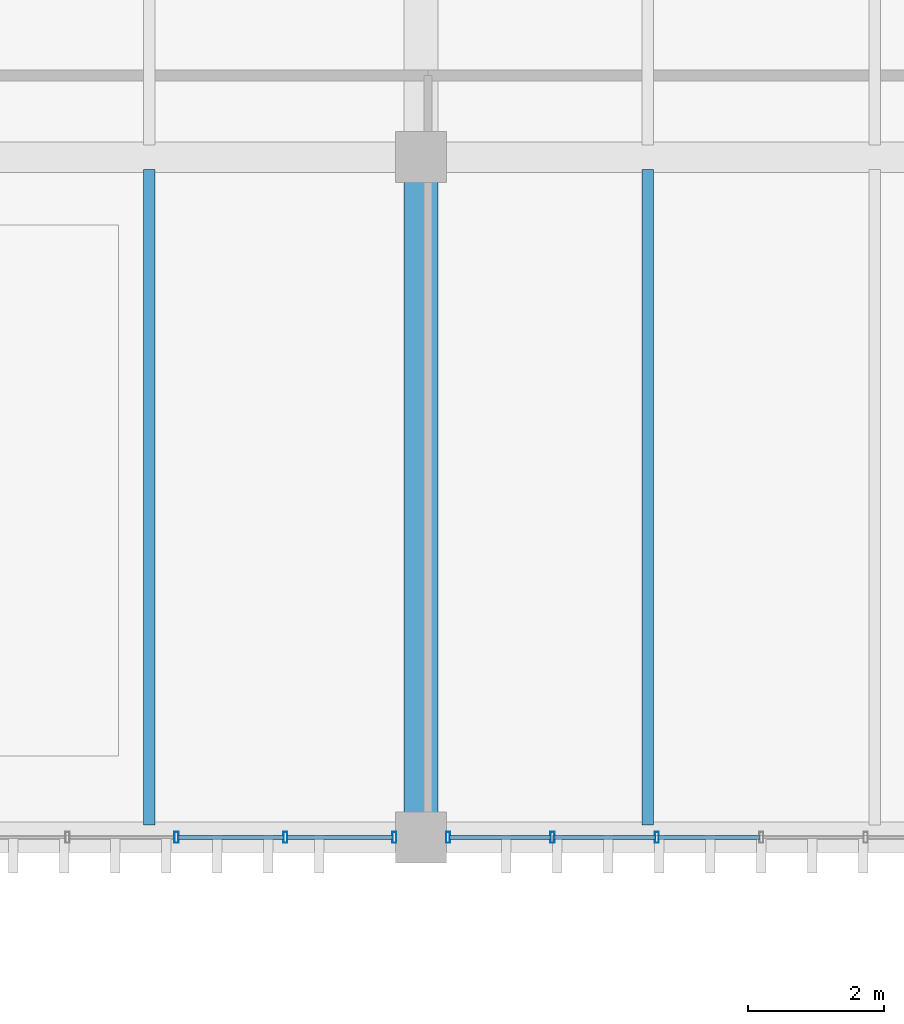
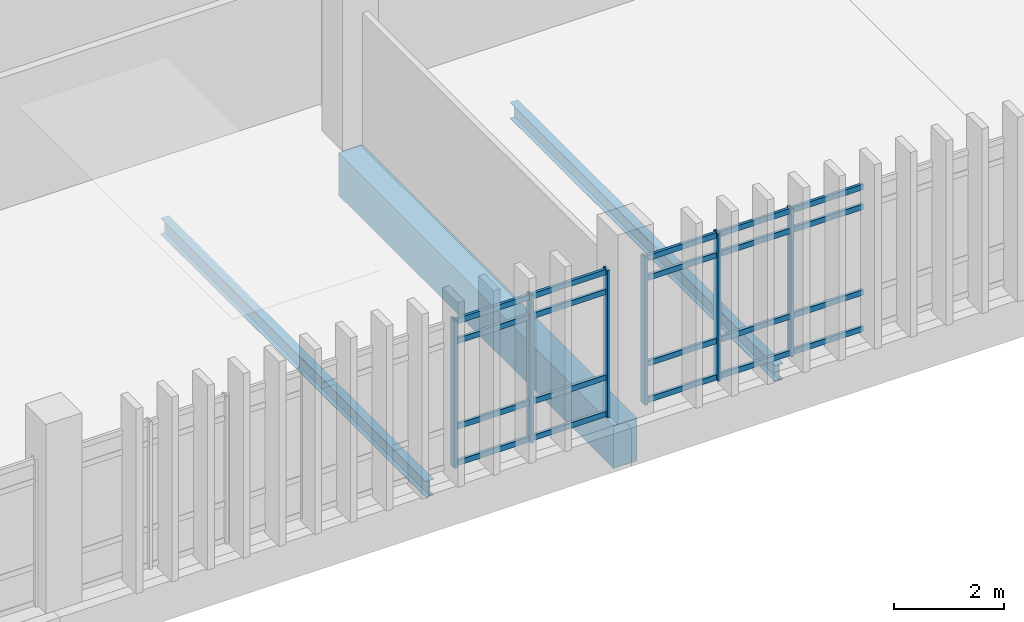
# One storey, part 79 of 161: 26 members, 3 beams, 2 elements without a shape of their own.
"""IFC4 building model written with IfcOpenShell, lengths in metres."""

from ifc_helpers import new_model, si_unit, direction, frame, origin, origin_2d, place, context, subcontext, project, spatial, rectangle, hollow_rectangle, i_section, extrude, material, layer, layer_set, material_profile, profile_set, type_object, element, aggregate, save


model = new_model("IFC4")

# Units and contexts
model_context = context("Model", 3, precision=1e-05, world=origin(), true_north=direction((0.0, 1.0)))
body_context = subcontext(model_context, "Body", "Model", "MODEL_VIEW")
ifc_project = project(units=[si_unit("LENGTHUNIT", "METRE"), si_unit("AREAUNIT", "SQUARE_METRE"), si_unit("VOLUMEUNIT", "CUBIC_METRE"), si_unit("PLANEANGLEUNIT", "RADIAN"), si_unit("MASSUNIT", "GRAM", prefix="KILO")], contexts=[model_context])

# Site, building, storey
site_placement = place(None, origin())
site = spatial("IfcSite", under=ifc_project, at=site_placement, CompositionType="ELEMENT")
building_placement = place(site_placement, origin())
building = spatial("IfcBuilding", under=site, at=building_placement, Name="Mersad Railyard Sports Hall", CompositionType="ELEMENT")
storey_placement = place(building_placement, frame((0.0, 0.0, 4.800048828125)))
storey = spatial("IfcBuildingStorey", under=building, at=storey_placement, Name="L01", CompositionType="ELEMENT", Elevation=4.800048828125)

# Curtain wall, members
ifc_material_1 = material(Name="Aluminium 6063-T6", Category="aluminium")
ifc_layer_1 = layer(ifc_material_1, 0.159912109375)
ifc_layer_set_1 = layer_set([ifc_layer_1], Name="Aluminium 6063-T6")
curtain_wall_type_1 = type_object("IfcCurtainWallType", Name="ARC-CW-CW37", PredefinedType="USERDEFINED", material=ifc_layer_set_1)
curtain_wall_1_placement = place(storey_placement, origin())
curtain_wall_1 = element("IfcCurtainWall", 1, at=curtain_wall_1_placement, inside=storey, type_object=curtain_wall_type_1, Name="Curtain wall CW37-0107", ObjectType="CURTAIN WALL", PredefinedType="USERDEFINED")
ifc_material_profile_1 = material_profile(ifc_material_1, hollow_rectangle(XDim=0.06005859375, YDim=0.159912109375, WallThickness=0.00390625, at=origin_2d()), Name="AL MULLION 60x160x4")
ifc_profile_set_1 = profile_set([ifc_material_profile_1], Name="Aluminium 6063-T6")
member_type_1 = type_object("IfcMemberType", Name="ARC-CW-MUL01", PredefinedType="MULLION", material=ifc_profile_set_1)
member_1_placement = place(storey_placement, frame((90.60498046875, 85.0, -0.02001953125), z_axis=(0.0, 0.0, 1.0), x_axis=(1.0, 0.0, 0.0)))
member_1 = element("IfcMember", 2, at=member_1_placement, type_object=member_type_1, Name="CW37 Mullion 1", PredefinedType="MULLION", context=body_context, shape_type="SweptSolid", body=[
    extrude(hollow_rectangle(XDim=0.06005859375, YDim=0.159912109375, WallThickness=0.00390625, at=origin_2d()), origin(), (0.0, 0.0, 1.0), 3.27001953125),
])
member_2_placement = place(storey_placement, frame((89.003662109375, 85.0, -0.02001953125), z_axis=(0.0, 0.0, 1.0), x_axis=(1.0, 0.0, 0.0)))
member_2 = element("IfcMember", 3, at=member_2_placement, type_object=member_type_1, Name="CW37 Mullion 2", PredefinedType="MULLION", context=body_context, shape_type="SweptSolid", body=[
    extrude(hollow_rectangle(XDim=0.06005859375, YDim=0.159912109375, WallThickness=0.00390625, at=origin_2d()), origin(), (0.0, 0.0, 1.0), 3.27001953125),
])
member_3_placement = place(storey_placement, frame((87.402099609375, 85.0, -0.02001953125), z_axis=(0.0, 0.0, 1.0), x_axis=(1.0, 0.0, 0.0)))
member_3 = element("IfcMember", 4, at=member_3_placement, type_object=member_type_1, Name="CW37 Mullion 3", PredefinedType="MULLION", context=body_context, shape_type="SweptSolid", body=[
    extrude(hollow_rectangle(XDim=0.06005859375, YDim=0.159912109375, WallThickness=0.00390625, at=origin_2d()), origin(), (0.0, 0.0, 1.0), 3.27001953125),
])

ifc_layer_2 = layer(ifc_material_1, 0.159912109375)
ifc_layer_set_2 = layer_set([ifc_layer_2], Name="Aluminium 6063-T6")
curtain_wall_type_2 = type_object("IfcCurtainWallType", Name="ARC-CW-CW38", PredefinedType="USERDEFINED", material=ifc_layer_set_2)
curtain_wall_2_placement = place(storey_placement, origin())
curtain_wall_2 = element("IfcCurtainWall", 5, at=curtain_wall_2_placement, inside=storey, type_object=curtain_wall_type_2, Name="Curtain wall CW38-0108", ObjectType="CURTAIN WALL", PredefinedType="USERDEFINED")
member_4_placement = place(storey_placement, frame((94.465087890625, 85.0, -0.02001953125), z_axis=(0.0, 0.0, 1.0), x_axis=(1.0, 0.0, 0.0)))
member_4 = element("IfcMember", 6, at=member_4_placement, type_object=member_type_1, Name="CW38 Mullion 5", PredefinedType="MULLION", context=body_context, shape_type="SweptSolid", body=[
    extrude(hollow_rectangle(XDim=0.06005859375, YDim=0.159912109375, WallThickness=0.00390625, at=origin_2d()), origin(), (0.0, 0.0, 1.0), 3.27001953125),
])
member_5_placement = place(storey_placement, frame((92.929931640625, 85.0, -0.02001953125), z_axis=(0.0, 0.0, 1.0), x_axis=(1.0, 0.0, 0.0)))
member_5 = element("IfcMember", 7, at=member_5_placement, type_object=member_type_1, Name="CW38 Mullion 6", PredefinedType="MULLION", context=body_context, shape_type="SweptSolid", body=[
    extrude(hollow_rectangle(XDim=0.06005859375, YDim=0.159912109375, WallThickness=0.00390625, at=origin_2d()), origin(), (0.0, 0.0, 1.0), 3.27001953125),
])
member_6_placement = place(storey_placement, frame((91.39501953125, 85.0, -0.02001953125), z_axis=(0.0, 0.0, 1.0), x_axis=(1.0, 0.0, 0.0)))
member_6 = element("IfcMember", 8, at=member_6_placement, type_object=member_type_1, Name="CW38 Mullion 7", PredefinedType="MULLION", context=body_context, shape_type="SweptSolid", body=[
    extrude(hollow_rectangle(XDim=0.06005859375, YDim=0.159912109375, WallThickness=0.00390625, at=origin_2d()), origin(), (0.0, 0.0, 1.0), 3.27001953125),
])

# Member
ifc_material_profile_2 = material_profile(ifc_material_1, hollow_rectangle(XDim=0.06005859375, YDim=0.1201171875, WallThickness=0.00390625, at=origin_2d()), Name="AL TRANSOM 60x120x4")
ifc_profile_set_2 = profile_set([ifc_material_profile_2], Name="Aluminium 6063-T6")
member_type_2 = type_object("IfcMemberType", Name="ARC-CW-TRN01", PredefinedType="USERDEFINED", material=ifc_profile_set_2)
member_7_placement = place(storey_placement, frame((90.5849609375, 85.0, 0.0400390625), z_axis=(-1.0, 0.0, 0.0), x_axis=(0.0, -1.0, 0.0)))
member_7 = element("IfcMember", 9, at=member_7_placement, type_object=member_type_2, Name="CW37 Transom 1-1", ObjectType="TRANSOM", PredefinedType="USERDEFINED", context=body_context, shape_type="SweptSolid", body=[
    extrude(hollow_rectangle(XDim=0.06005859375, YDim=0.1201171875, WallThickness=0.00390625, at=origin_2d()), origin(), (0.0, 0.0, 1.0), 1.561279296875),
])

member_8_placement = place(storey_placement, frame((88.983642578125, 85.0, 0.0400390625), z_axis=(-1.0, 0.0, 0.0), x_axis=(0.0, -1.0, 0.0)))
member_8 = element("IfcMember", 10, at=member_8_placement, type_object=member_type_2, Name="CW37 Transom 1-2", ObjectType="TRANSOM", PredefinedType="USERDEFINED", context=body_context, shape_type="SweptSolid", body=[
    extrude(hollow_rectangle(XDim=0.06005859375, YDim=0.1201171875, WallThickness=0.00390625, at=origin_2d()), origin(), (0.0, 0.0, 1.0), 1.5615234375),
])

member_9_placement = place(storey_placement, frame((90.5849609375, 85.0, 0.849853515625), z_axis=(-1.0, 0.0, 0.0), x_axis=(0.0, -1.0, 0.0)))
member_9 = element("IfcMember", 11, at=member_9_placement, type_object=member_type_2, Name="CW37 Transom 2-1", ObjectType="TRANSOM", PredefinedType="USERDEFINED", context=body_context, shape_type="SweptSolid", body=[
    extrude(hollow_rectangle(XDim=0.06005859375, YDim=0.1201171875, WallThickness=0.00390625, at=origin_2d()), origin(), (0.0, 0.0, 1.0), 1.561279296875),
])

member_10_placement = place(storey_placement, frame((88.983642578125, 85.0, 0.849853515625), z_axis=(-1.0, 0.0, 0.0), x_axis=(0.0, -1.0, 0.0)))
member_10 = element("IfcMember", 12, at=member_10_placement, type_object=member_type_2, Name="CW37 Transom 2-2", ObjectType="TRANSOM", PredefinedType="USERDEFINED", context=body_context, shape_type="SweptSolid", body=[
    extrude(hollow_rectangle(XDim=0.06005859375, YDim=0.1201171875, WallThickness=0.00390625, at=origin_2d()), origin(), (0.0, 0.0, 1.0), 1.5615234375),
])

member_11_placement = place(storey_placement, frame((90.5849609375, 85.0, 2.75), z_axis=(-1.0, 0.0, 0.0), x_axis=(0.0, -1.0, 0.0)))
member_11 = element("IfcMember", 13, at=member_11_placement, type_object=member_type_2, Name="CW37 Transom 3-1", ObjectType="TRANSOM", PredefinedType="USERDEFINED", context=body_context, shape_type="SweptSolid", body=[
    extrude(hollow_rectangle(XDim=0.06005859375, YDim=0.1201171875, WallThickness=0.00390625, at=origin_2d()), origin(), (0.0, 0.0, 1.0), 1.561279296875),
])

member_12_placement = place(storey_placement, frame((88.983642578125, 85.0, 2.75), z_axis=(-1.0, 0.0, 0.0), x_axis=(0.0, -1.0, 0.0)))
member_12 = element("IfcMember", 14, at=member_12_placement, type_object=member_type_2, Name="CW37 Transom 3-2", ObjectType="TRANSOM", PredefinedType="USERDEFINED", context=body_context, shape_type="SweptSolid", body=[
    extrude(hollow_rectangle(XDim=0.06005859375, YDim=0.1201171875, WallThickness=0.00390625, at=origin_2d()), origin(), (0.0, 0.0, 1.0), 1.5615234375),
])

member_13_placement = place(storey_placement, frame((90.5849609375, 85.0, 3.18994140625), z_axis=(-1.0, 0.0, 0.0), x_axis=(0.0, -1.0, 0.0)))
member_13 = element("IfcMember", 15, at=member_13_placement, type_object=member_type_2, Name="CW37 Transom 4-1", ObjectType="TRANSOM", PredefinedType="USERDEFINED", context=body_context, shape_type="SweptSolid", body=[
    extrude(hollow_rectangle(XDim=0.06005859375, YDim=0.1201171875, WallThickness=0.00390625, at=origin_2d()), origin(), (0.0, 0.0, 1.0), 1.561279296875),
])

member_14_placement = place(storey_placement, frame((88.983642578125, 85.0, 3.18994140625), z_axis=(-1.0, 0.0, 0.0), x_axis=(0.0, -1.0, 0.0)))
member_14 = element("IfcMember", 16, at=member_14_placement, type_object=member_type_2, Name="CW37 Transom 4-2", ObjectType="TRANSOM", PredefinedType="USERDEFINED", context=body_context, shape_type="SweptSolid", body=[
    extrude(hollow_rectangle(XDim=0.06005859375, YDim=0.1201171875, WallThickness=0.00390625, at=origin_2d()), origin(), (0.0, 0.0, 1.0), 1.5615234375),
])

aggregate(curtain_wall_1, [member_1, member_2, member_3, member_7, member_8, member_9, member_10, member_11, member_12, member_13, member_14])

member_15_placement = place(storey_placement, frame((95.97998046875, 85.0, 0.0400390625), z_axis=(-1.0, 0.0, 0.0), x_axis=(0.0, -1.0, 0.0)))
member_15 = element("IfcMember", 17, at=member_15_placement, type_object=member_type_2, Name="CW38 Transom 1-4", ObjectType="TRANSOM", PredefinedType="USERDEFINED", context=body_context, shape_type="SweptSolid", body=[
    extrude(hollow_rectangle(XDim=0.06005859375, YDim=0.1201171875, WallThickness=0.00390625, at=origin_2d()), origin(), (0.0, 0.0, 1.0), 1.494873046875),
])

member_16_placement = place(storey_placement, frame((94.445068359375, 85.0, 0.0400390625), z_axis=(-1.0, 0.0, 0.0), x_axis=(0.0, -1.0, 0.0)))
member_16 = element("IfcMember", 18, at=member_16_placement, type_object=member_type_2, Name="CW38 Transom 1-5", ObjectType="TRANSOM", PredefinedType="USERDEFINED", context=body_context, shape_type="SweptSolid", body=[
    extrude(hollow_rectangle(XDim=0.06005859375, YDim=0.1201171875, WallThickness=0.00390625, at=origin_2d()), origin(), (0.0, 0.0, 1.0), 1.4951171875),
])

member_17_placement = place(storey_placement, frame((92.909912109375, 85.0, 0.0400390625), z_axis=(-1.0, 0.0, 0.0), x_axis=(0.0, -1.0, 0.0)))
member_17 = element("IfcMember", 19, at=member_17_placement, type_object=member_type_2, Name="CW38 Transom 1-6", ObjectType="TRANSOM", PredefinedType="USERDEFINED", context=body_context, shape_type="SweptSolid", body=[
    extrude(hollow_rectangle(XDim=0.06005859375, YDim=0.1201171875, WallThickness=0.00390625, at=origin_2d()), origin(), (0.0, 0.0, 1.0), 1.494873046875),
])

member_18_placement = place(storey_placement, frame((95.97998046875, 85.0, 0.849853515625), z_axis=(-1.0, 0.0, 0.0), x_axis=(0.0, -1.0, 0.0)))
member_18 = element("IfcMember", 20, at=member_18_placement, type_object=member_type_2, Name="CW38 Transom 2-4", ObjectType="TRANSOM", PredefinedType="USERDEFINED", context=body_context, shape_type="SweptSolid", body=[
    extrude(hollow_rectangle(XDim=0.06005859375, YDim=0.1201171875, WallThickness=0.00390625, at=origin_2d()), origin(), (0.0, 0.0, 1.0), 1.494873046875),
])

member_19_placement = place(storey_placement, frame((94.445068359375, 85.0, 0.849853515625), z_axis=(-1.0, 0.0, 0.0), x_axis=(0.0, -1.0, 0.0)))
member_19 = element("IfcMember", 21, at=member_19_placement, type_object=member_type_2, Name="CW38 Transom 2-5", ObjectType="TRANSOM", PredefinedType="USERDEFINED", context=body_context, shape_type="SweptSolid", body=[
    extrude(hollow_rectangle(XDim=0.06005859375, YDim=0.1201171875, WallThickness=0.00390625, at=origin_2d()), origin(), (0.0, 0.0, 1.0), 1.4951171875),
])

member_20_placement = place(storey_placement, frame((92.909912109375, 85.0, 0.849853515625), z_axis=(-1.0, 0.0, 0.0), x_axis=(0.0, -1.0, 0.0)))
member_20 = element("IfcMember", 22, at=member_20_placement, type_object=member_type_2, Name="CW38 Transom 2-6", ObjectType="TRANSOM", PredefinedType="USERDEFINED", context=body_context, shape_type="SweptSolid", body=[
    extrude(hollow_rectangle(XDim=0.06005859375, YDim=0.1201171875, WallThickness=0.00390625, at=origin_2d()), origin(), (0.0, 0.0, 1.0), 1.494873046875),
])

member_21_placement = place(storey_placement, frame((95.97998046875, 85.0, 2.75), z_axis=(-1.0, 0.0, 0.0), x_axis=(0.0, -1.0, 0.0)))
member_21 = element("IfcMember", 23, at=member_21_placement, type_object=member_type_2, Name="CW38 Transom 3-4", ObjectType="TRANSOM", PredefinedType="USERDEFINED", context=body_context, shape_type="SweptSolid", body=[
    extrude(hollow_rectangle(XDim=0.06005859375, YDim=0.1201171875, WallThickness=0.00390625, at=origin_2d()), origin(), (0.0, 0.0, 1.0), 1.494873046875),
])

member_22_placement = place(storey_placement, frame((94.445068359375, 85.0, 2.75), z_axis=(-1.0, 0.0, 0.0), x_axis=(0.0, -1.0, 0.0)))
member_22 = element("IfcMember", 24, at=member_22_placement, type_object=member_type_2, Name="CW38 Transom 3-5", ObjectType="TRANSOM", PredefinedType="USERDEFINED", context=body_context, shape_type="SweptSolid", body=[
    extrude(hollow_rectangle(XDim=0.06005859375, YDim=0.1201171875, WallThickness=0.00390625, at=origin_2d()), origin(), (0.0, 0.0, 1.0), 1.4951171875),
])

member_23_placement = place(storey_placement, frame((92.909912109375, 85.0, 2.75), z_axis=(-1.0, 0.0, 0.0), x_axis=(0.0, -1.0, 0.0)))
member_23 = element("IfcMember", 25, at=member_23_placement, type_object=member_type_2, Name="CW38 Transom 3-6", ObjectType="TRANSOM", PredefinedType="USERDEFINED", context=body_context, shape_type="SweptSolid", body=[
    extrude(hollow_rectangle(XDim=0.06005859375, YDim=0.1201171875, WallThickness=0.00390625, at=origin_2d()), origin(), (0.0, 0.0, 1.0), 1.494873046875),
])

member_24_placement = place(storey_placement, frame((95.97998046875, 85.0, 3.18994140625), z_axis=(-1.0, 0.0, 0.0), x_axis=(0.0, -1.0, 0.0)))
member_24 = element("IfcMember", 26, at=member_24_placement, type_object=member_type_2, Name="CW38 Transom 4-4", ObjectType="TRANSOM", PredefinedType="USERDEFINED", context=body_context, shape_type="SweptSolid", body=[
    extrude(hollow_rectangle(XDim=0.06005859375, YDim=0.1201171875, WallThickness=0.00390625, at=origin_2d()), origin(), (0.0, 0.0, 1.0), 1.494873046875),
])

member_25_placement = place(storey_placement, frame((94.445068359375, 85.0, 3.18994140625), z_axis=(-1.0, 0.0, 0.0), x_axis=(0.0, -1.0, 0.0)))
member_25 = element("IfcMember", 27, at=member_25_placement, type_object=member_type_2, Name="CW38 Transom 4-5", ObjectType="TRANSOM", PredefinedType="USERDEFINED", context=body_context, shape_type="SweptSolid", body=[
    extrude(hollow_rectangle(XDim=0.06005859375, YDim=0.1201171875, WallThickness=0.00390625, at=origin_2d()), origin(), (0.0, 0.0, 1.0), 1.4951171875),
])

member_26_placement = place(storey_placement, frame((92.909912109375, 85.0, 3.18994140625), z_axis=(-1.0, 0.0, 0.0), x_axis=(0.0, -1.0, 0.0)))
member_26 = element("IfcMember", 28, at=member_26_placement, type_object=member_type_2, Name="CW38 Transom 4-6", ObjectType="TRANSOM", PredefinedType="USERDEFINED", context=body_context, shape_type="SweptSolid", body=[
    extrude(hollow_rectangle(XDim=0.06005859375, YDim=0.1201171875, WallThickness=0.00390625, at=origin_2d()), origin(), (0.0, 0.0, 1.0), 1.494873046875),
])

aggregate(curtain_wall_2, [member_4, member_5, member_6, member_15, member_16, member_17, member_18, member_19, member_20, member_21, member_22, member_23, member_24, member_25, member_26])

# Beams
ifc_material_2 = material(Name="Concrete C50/60", Category="concrete")
ifc_material_profile_3 = material_profile(ifc_material_2, rectangle(XDim=0.5, YDim=0.949951171875, at=origin_2d()), Name="RC 500x950")
ifc_profile_set_3 = profile_set([ifc_material_profile_3], Name="Concrete C50/60")
beam_type_1 = type_object("IfcBeamType", Name="STR-BM-B03", PredefinedType="BEAM", material=ifc_profile_set_3)
beam_placement = place(storey_placement, frame((91.0, 85.0, -0.775146484375), z_axis=(0.0, 1.0, 0.0), x_axis=(-1.0, 0.0, 0.0)))
element("IfcBeam", 29, at=beam_placement, inside=storey, type_object=beam_type_1, Name="Beam B03-0968", PredefinedType="BEAM", context=body_context, shape_type="SweptSolid", body=[
    extrude(rectangle(XDim=0.5, YDim=0.949951171875, at=origin_2d()), origin(), (0.0, 0.0, 1.0), 10.0),
])
ifc_material_3 = material(Name="Steel S355", Category="steel")
ifc_material_profile_4 = material_profile(ifc_material_3, i_section(OverallWidth=0.169921875, OverallDepth=0.360107421875, WebThickness=0.008056640625, FlangeThickness=0.0126953125, at=origin_2d()), Name="IPE 360")
ifc_profile_set_4 = profile_set([ifc_material_profile_4], Name="Steel S355")
beam_type_2 = type_object("IfcBeamType", Name="STR-BM-J03", PredefinedType="JOIST", material=ifc_profile_set_4)
for number, where, z_axis, x_axis, name in (
    (30, (87.0, 85.179931640625, -0.47998046875), (0.0, 1.0, 0.0), (-1.0, 0.0, 0.0), "Beam J03-1024"),
    (31, (94.3330078125, 85.179931640625, -0.47998046875), (0.0, 1.0, 0.0), (-1.0, 0.0, 0.0), "Beam J03-1029"),
):
    element("IfcBeam", number, at=place(storey_placement, frame(where, z_axis=z_axis, x_axis=x_axis)), inside=storey, type_object=beam_type_2, Name=name, PredefinedType="JOIST", context=body_context, shape_type="SweptSolid", body=[
        extrude(i_section(OverallWidth=0.169921875, OverallDepth=0.360107421875, WebThickness=0.008056640625, FlangeThickness=0.0126953125, at=origin_2d()), origin(), (0.0, 0.0, 1.0), 9.64013671875),
    ])

save(model, "model.ifc")
